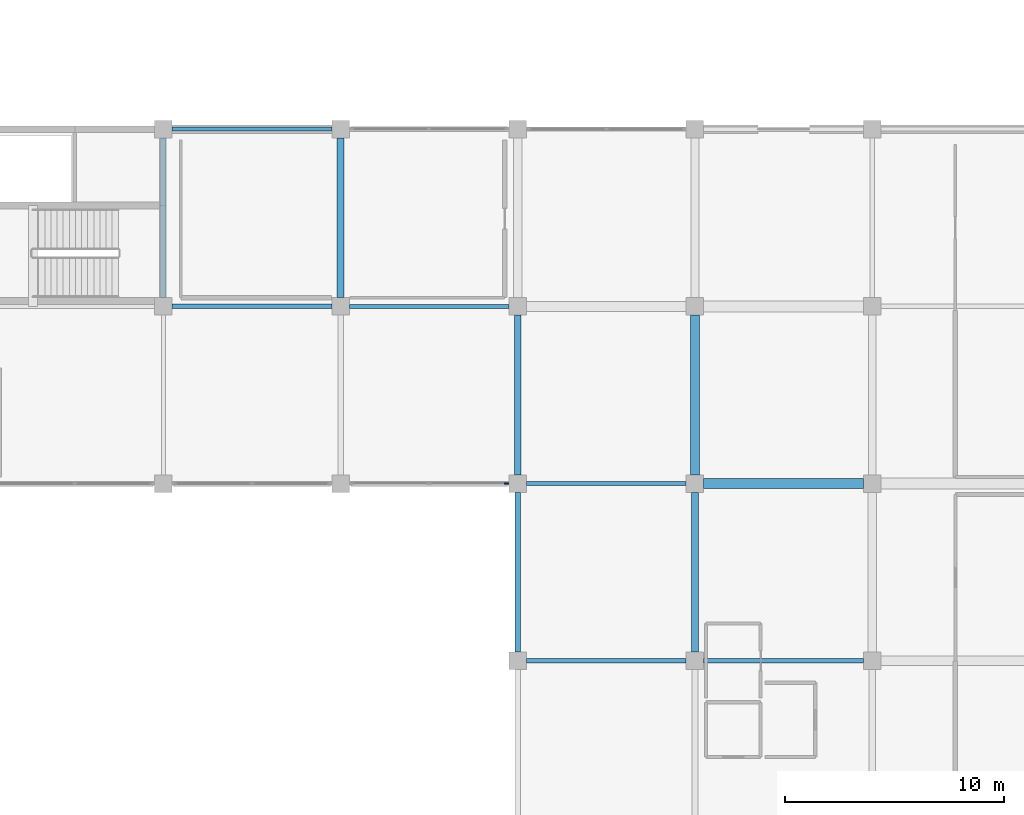
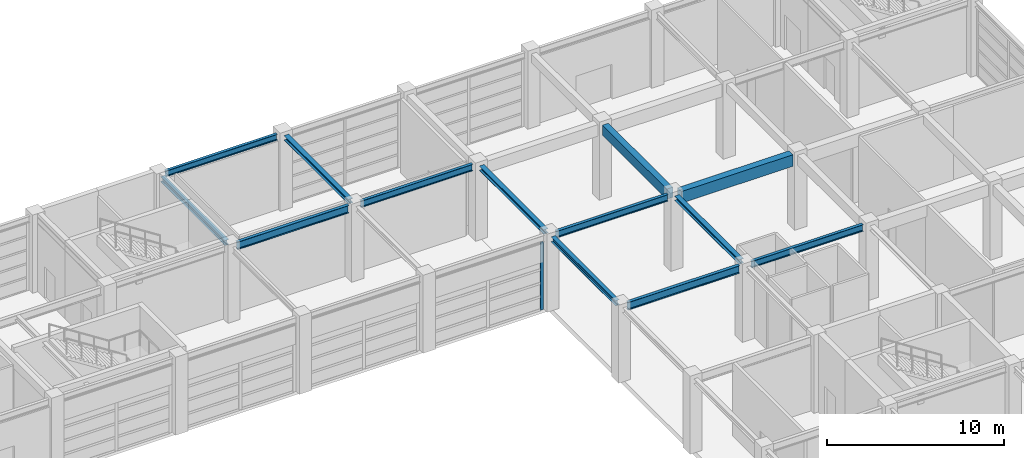
# One storey, part 24 of 52: 13 beams, 1 member, 1 element without a shape of its own.
"""IFC4 building model written with IfcOpenShell, lengths in metres."""

from ifc_helpers import new_model, si_unit, direction, frame, origin, origin_2d, place, context, subcontext, project, spatial, rectangle, i_section, extrude, material, material_profile, profile_set, type_object, element, aggregate, save


model = new_model("IFC4")

# Units and contexts
model_context = context("Model", 3, precision=1e-05, world=origin(), true_north=direction((0.0, 1.0)))
body_context = subcontext(model_context, "Body", "Model", "MODEL_VIEW")
ifc_project = project(units=[si_unit("LENGTHUNIT", "METRE"), si_unit("AREAUNIT", "SQUARE_METRE"), si_unit("VOLUMEUNIT", "CUBIC_METRE"), si_unit("PLANEANGLEUNIT", "RADIAN"), si_unit("MASSUNIT", "GRAM", prefix="KILO")], contexts=[model_context])

# Site, building, storey
site_placement = place(None, origin())
site = spatial("IfcSite", under=ifc_project, at=site_placement, CompositionType="ELEMENT")
building_placement = place(site_placement, origin())
building = spatial("IfcBuilding", under=site, at=building_placement, Name="Parian Resonance Hall", CompositionType="ELEMENT")
storey_placement = place(building_placement, origin())
storey = spatial("IfcBuildingStorey", under=building, at=storey_placement, Name="L00", CompositionType="ELEMENT", Elevation=0.0)

# Beams
ifc_material_1 = material(Name="Concrete C40/50", Category="concrete")
ifc_material_profile_1 = material_profile(ifc_material_1, rectangle(XDim=0.39990234375, YDim=0.699951171875, at=origin_2d()), Name="RC-BM-400x700")
ifc_profile_set_1 = profile_set([ifc_material_profile_1], Name="Concrete C40/50")
beam_type_1 = type_object("IfcBeamType", Name="BM-RC400x700", PredefinedType="BEAM", material=ifc_profile_set_1)
beam_1_placement = place(storey_placement, frame((121.5, 73.300048828125, 4.780029296875), z_axis=(0.0, 1.0, 0.0), x_axis=(-1.0, 0.0, 0.0)))
element("IfcBeam", 1, at=beam_1_placement, inside=storey, type_object=beam_type_1, Name="GY-L00-0471", PredefinedType="BEAM", context=body_context, shape_type="SweptSolid", body=[
    extrude(rectangle(XDim=0.39990234375, YDim=0.699951171875, at=origin_2d()), origin(), (0.0, 0.0, 1.0), 7.300048828125),
])
ifc_material_2 = material(Name="Concrete C40/50", Category="concrete")
ifc_material_profile_2 = material_profile(ifc_material_2, rectangle(XDim=0.449951171875, YDim=0.800048828125, at=origin_2d()), Name="RC-BM-450x800")
ifc_profile_set_2 = profile_set([ifc_material_profile_2], Name="Concrete C40/50")
beam_type_2 = type_object("IfcBeamType", Name="BM-RC450x800", PredefinedType="USERDEFINED", material=ifc_profile_set_2)
beam_2_placement = place(storey_placement, frame((121.89990234375, 72.89990234375, 4.72998046875), z_axis=(1.0, 0.0, 0.0), x_axis=(0.0, 1.0, 0.0)))
element("IfcBeam", 2, at=beam_2_placement, inside=storey, type_object=beam_type_2, Name="GX-L00-0360", ObjectType="GIRDER", PredefinedType="USERDEFINED", context=body_context, shape_type="SweptSolid", body=[
    extrude(rectangle(XDim=0.449951171875, YDim=0.800048828125, at=origin_2d()), origin(), (0.0, 0.0, 1.0), 7.300048828125),
])
ifc_material_3 = material(Name="Steel S355", Category="steel")
ifc_material_profile_3 = material_profile(ifc_material_3, i_section(OverallWidth=0.304931640625, OverallDepth=0.30810546875, WebThickness=0.010009765625, FlangeThickness=0.015380859375, FilletRadius=0.01513671875, at=origin_2d()), Name="W310x97")
ifc_profile_set_3 = profile_set([ifc_material_profile_3], Name="Steel S355")
beam_type_3 = type_object("IfcBeamType", Name="BM-W310x97", PredefinedType="BEAM", material=ifc_profile_set_3)
for number, where, z_axis, x_axis, name in (
    (3, (105.300048828125, 81.39990234375, 4.99609375), (0.0, 1.0, 0.0), (-1.0, 0.0, 0.0), "GY-L00-0452"),
    (4, (113.39990234375, 73.300048828125, 4.97607421875), (0.0, 1.0, 0.0), (-1.0, 0.0, 0.0), "GY-L00-0462"),
    (5, (121.5, 65.199951171875, 4.97607421875), (0.0, 1.0, 0.0), (-1.0, 0.0, 0.0), "GY-L00-0470"),
):
    element("IfcBeam", number, at=place(storey_placement, frame(where, z_axis=z_axis, x_axis=x_axis)), inside=storey, type_object=beam_type_3, Name=name, PredefinedType="BEAM", context=body_context, shape_type="SweptSolid", body=[
        extrude(i_section(OverallWidth=0.304931640625, OverallDepth=0.30810546875, WebThickness=0.010009765625, FlangeThickness=0.015380859375, FilletRadius=0.01513671875, at=origin_2d()), origin(), (0.0, 0.0, 1.0), 7.300048828125),
    ])
ifc_material_4 = material(Name="Steel S355", Category="steel")
ifc_material_profile_4 = material_profile(ifc_material_4, i_section(OverallWidth=0.2548828125, OverallDepth=0.35693359375, WebThickness=0.010498046875, FlangeThickness=0.018310546875, FilletRadius=0.01513671875, at=origin_2d()), Name="W360x101")
ifc_profile_set_4 = profile_set([ifc_material_profile_4], Name="Steel S355")
beam_type_4 = type_object("IfcBeamType", Name="BM-W360x101", PredefinedType="SPANDREL", material=ifc_profile_set_4)
for number, where, z_axis, x_axis, name in (
    (6, (97.199951171875, 81.39990234375, 4.971435546875), (0.0, 1.0, 0.0), (-1.0, 0.0, 0.0), "GY-L00-0447"),
    (7, (113.39990234375, 65.199951171875, 4.951416015625), (0.0, 1.0, 0.0), (-1.0, 0.0, 0.0), "GY-L00-0461"),
):
    element("IfcBeam", number, at=place(storey_placement, frame(where, z_axis=z_axis, x_axis=x_axis)), inside=storey, type_object=beam_type_4, Name=name, PredefinedType="SPANDREL", context=body_context, shape_type="SweptSolid", body=[
        extrude(i_section(OverallWidth=0.2548828125, OverallDepth=0.35693359375, WebThickness=0.010498046875, FlangeThickness=0.018310546875, FilletRadius=0.01513671875, at=origin_2d()), origin(), (0.0, 0.0, 1.0), 7.300048828125),
    ])
ifc_material_5 = material(Name="Steel S355", Category="steel")
ifc_material_profile_5 = material_profile(ifc_material_5, i_section(OverallWidth=0.180908203125, OverallDepth=0.4169921875, WebThickness=0.010986328125, FlangeThickness=0.018310546875, FilletRadius=0.01513671875, at=origin_2d()), Name="W410x85")
ifc_profile_set_5 = profile_set([ifc_material_profile_5], Name="Steel S355")
beam_type_5 = type_object("IfcBeamType", Name="BM-W410x85", PredefinedType="SPANDREL", material=ifc_profile_set_5)
beam_3_placement = place(storey_placement, frame((97.60009765625, 89.10009765625, 4.94140625), z_axis=(1.0, 0.0, 0.0), x_axis=(0.0, 1.0, 0.0)))
element("IfcBeam", 8, at=beam_3_placement, inside=storey, type_object=beam_type_5, Name="GX-L00-0336", PredefinedType="SPANDREL", context=body_context, shape_type="SweptSolid", body=[
    extrude(i_section(OverallWidth=0.180908203125, OverallDepth=0.4169921875, WebThickness=0.010986328125, FlangeThickness=0.018310546875, FilletRadius=0.01513671875, at=origin_2d()), origin(), (0.0, 0.0, 1.0), 7.2998046875),
])
ifc_material_6 = material(Name="Steel S355", Category="steel")
ifc_material_profile_6 = material_profile(ifc_material_6, i_section(OverallWidth=0.19091796875, OverallDepth=0.4599609375, WebThickness=0.010009765625, FlangeThickness=0.01611328125, FilletRadius=0.01513671875, at=origin_2d()), Name="W460x82")
ifc_profile_set_6 = profile_set([ifc_material_profile_6], Name="Steel S355")
beam_type_6 = type_object("IfcBeamType", Name="BM-W460x82", PredefinedType="BEAM", material=ifc_profile_set_6)
for number, where, z_axis, x_axis, name in (
    (9, (105.699951171875, 81.0, 4.919921875), (1.0, 0.0, 0.0), (0.0, 1.0, 0.0), "GX-L00-0342"),
    (10, (113.800048828125, 72.89990234375, 4.89990234375), (1.0, 0.0, 0.0), (0.0, 1.0, 0.0), "GX-L00-0351"),
    (11, (121.89990234375, 64.800048828125, 4.89990234375), (1.0, 0.0, 0.0), (0.0, 1.0, 0.0), "GX-L00-0359"),
):
    element("IfcBeam", number, at=place(storey_placement, frame(where, z_axis=z_axis, x_axis=x_axis)), inside=storey, type_object=beam_type_6, Name=name, PredefinedType="BEAM", context=body_context, shape_type="SweptSolid", body=[
        extrude(i_section(OverallWidth=0.19091796875, OverallDepth=0.4599609375, WebThickness=0.010009765625, FlangeThickness=0.01611328125, FilletRadius=0.01513671875, at=origin_2d()), origin(), (0.0, 0.0, 1.0), 7.300048828125),
    ])
ifc_material_7 = material(Name="Steel S355", Category="steel")
ifc_material_profile_7 = material_profile(ifc_material_7, i_section(OverallWidth=0.208984375, OverallDepth=0.532958984375, WebThickness=0.01025390625, FlangeThickness=0.015625, FilletRadius=0.017822265625, at=origin_2d()), Name="W530x92")
ifc_profile_set_7 = profile_set([ifc_material_profile_7], Name="Steel S355")
beam_type_7 = type_object("IfcBeamType", Name="BM-W530x92", PredefinedType="BEAM", material=ifc_profile_set_7)
beam_4_placement = place(storey_placement, frame((97.60009765625, 81.0, 4.883544921875), z_axis=(1.0, 0.0, 0.0), x_axis=(0.0, 1.0, 0.0)))
element("IfcBeam", 12, at=beam_4_placement, inside=storey, type_object=beam_type_7, Name="GX-L00-0335", PredefinedType="BEAM", context=body_context, shape_type="SweptSolid", body=[
    extrude(i_section(OverallWidth=0.208984375, OverallDepth=0.532958984375, WebThickness=0.01025390625, FlangeThickness=0.015625, FilletRadius=0.017822265625, at=origin_2d()), origin(), (0.0, 0.0, 1.0), 7.2998046875),
])
beam_5_placement = place(storey_placement, frame((113.800048828125, 64.800048828125, 4.863525390625), z_axis=(1.0, 0.0, 0.0), x_axis=(0.0, 1.0, 0.0)))
element("IfcBeam", 13, at=beam_5_placement, inside=storey, type_object=beam_type_7, Name="GX-L00-0350", PredefinedType="BEAM", context=body_context, shape_type="SweptSolid", body=[
    extrude(i_section(OverallWidth=0.208984375, OverallDepth=0.532958984375, WebThickness=0.01025390625, FlangeThickness=0.015625, FilletRadius=0.017822265625, at=origin_2d()), origin(), (0.0, 0.0, 1.0), 7.300048828125),
])

# Curtain wall, member
ifc_material_8 = material(Name="Bronze-anodised aluminium frame", Category="aluminium")
curtain_wall_type = type_object("IfcCurtainWallType", Name="CW-SYS-02", PredefinedType="NOTDEFINED", material=ifc_material_8)
curtain_wall_placement = place(storey_placement, origin())
curtain_wall = element("IfcCurtainWall", 14, at=curtain_wall_placement, inside=storey, type_object=curtain_wall_type, Name="Curtain wall CW-L00-126", PredefinedType="NOTDEFINED")
ifc_material_9 = material(Name="Bronze-anodised aluminium frame", Category="aluminium")
ifc_material_profile_8 = material_profile(ifc_material_9, rectangle(XDim=0.074951171875, YDim=0.199951171875, at=origin_2d()), Name="CWM-75x200")
ifc_profile_set_8 = profile_set([ifc_material_profile_8], Name="Bronze-anodised aluminium frame")
member_type = type_object("IfcMemberType", Name="CWM-75x200", PredefinedType="MULLION", material=ifc_profile_set_8)
member_placement = place(storey_placement, frame((112.882568359375, 72.89990234375, -0.008056640625), z_axis=(0.0, 0.0, 1.0), x_axis=(0.0, -1.0, 0.0)))
member = element("IfcMember", 15, at=member_placement, type_object=member_type, Name="CW-02 mullion 1", PredefinedType="MULLION", context=body_context, shape_type="SweptSolid", body=[
    extrude(rectangle(XDim=0.074951171875, YDim=0.199951171875, at=origin_2d()), origin(), (0.0, 0.0, 1.0), 4.693115234375),
])
aggregate(curtain_wall, [member])

save(model, "model.ifc")
